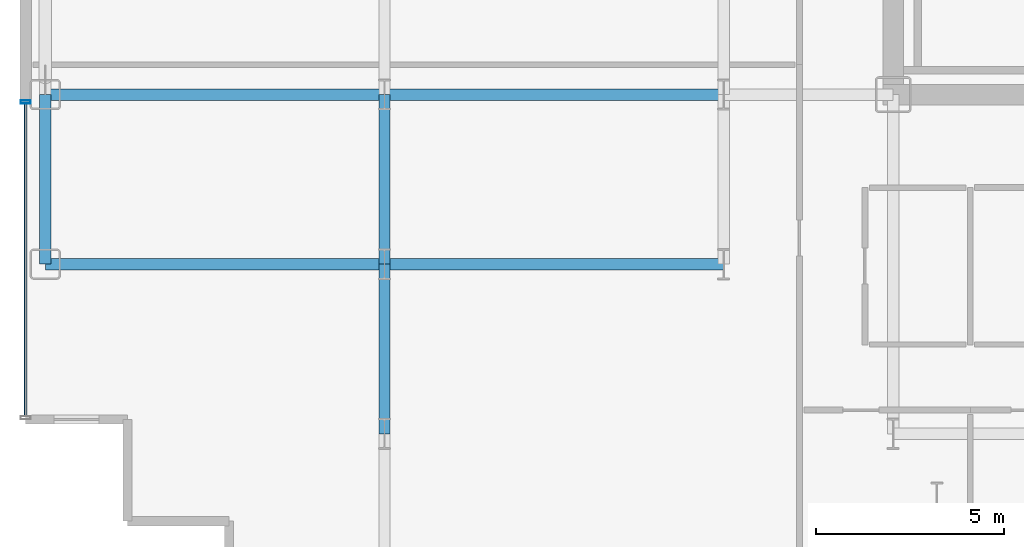
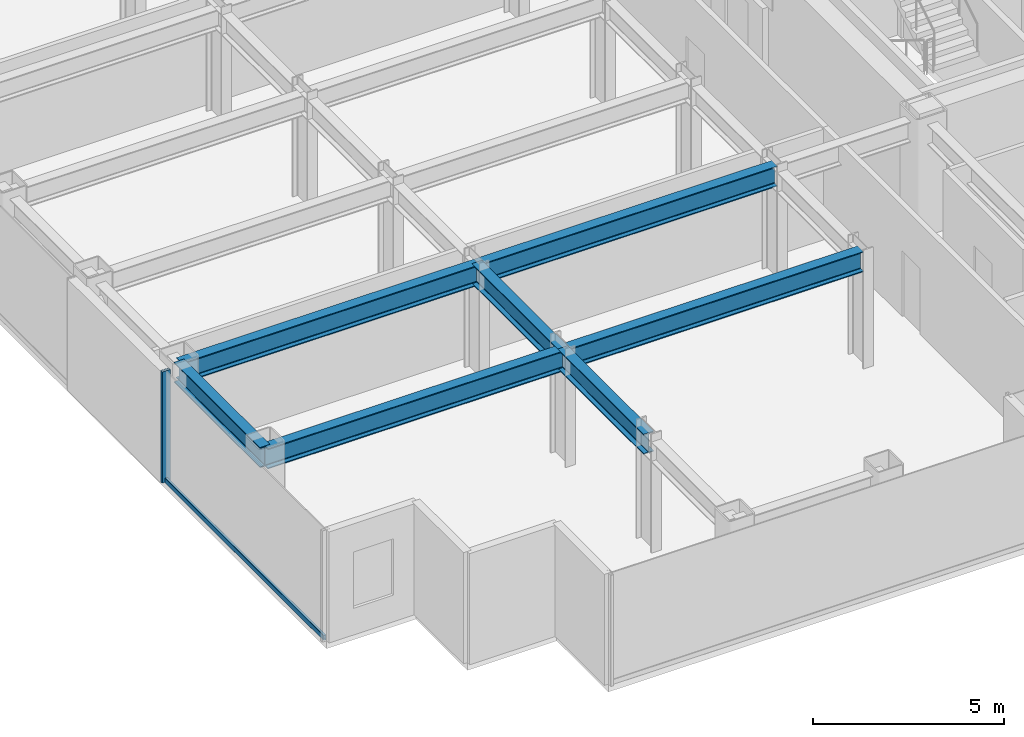
# One storey, part 4 of 27: 7 beams, 2 members, 1 element without a shape of its own.
"""IFC4 building model written with IfcOpenShell, lengths in metres."""

from ifc_helpers import new_model, si_unit, direction, frame, origin, origin_2d, place, context, subcontext, project, spatial, hollow_rectangle, i_section, extrude, source, transform, mapped, material, layer, layer_set, material_profile, profile_set, type_object, element, aggregate, save


model = new_model("IFC4")

# Units and contexts
model_context = context("Model", 3, precision=1e-05, world=origin(), true_north=direction((0.0, 1.0)))
body_context = subcontext(model_context, "Body", "Model", "MODEL_VIEW")
ifc_project = project(units=[si_unit("LENGTHUNIT", "METRE"), si_unit("AREAUNIT", "SQUARE_METRE"), si_unit("VOLUMEUNIT", "CUBIC_METRE"), si_unit("PLANEANGLEUNIT", "RADIAN"), si_unit("MASSUNIT", "GRAM", prefix="KILO")], contexts=[model_context])

# Site, building, storey
site_placement = place(None, origin())
site = spatial("IfcSite", under=ifc_project, at=site_placement, CompositionType="ELEMENT")
building_placement = place(site_placement, origin())
building = spatial("IfcBuilding", under=site, at=building_placement, Name="Nefas-Gora Pilgrimage Tower", CompositionType="ELEMENT")
storey_placement = place(building_placement, frame((0.0, 0.0, 148.800048828125)))
storey = spatial("IfcBuildingStorey", under=building, at=storey_placement, Name="L36", CompositionType="ELEMENT", Elevation=148.800048828125)

# Beams
ifc_material_1 = material(Name="Steel S355", Category="steel")
ifc_material_profile_1 = material_profile(ifc_material_1, i_section(OverallWidth=0.300048828125, OverallDepth=0.64990234375, WebThickness=0.01611328125, FlangeThickness=0.031005859375, FilletRadius=0.027099609375, at=origin_2d()), Name="HEB 650")
ifc_profile_set_1 = profile_set([ifc_material_profile_1], Name="Steel S355")
beam_type_1 = type_object("IfcBeamType", Name="BM-SPN-HEB500", PredefinedType="SPANDREL", material=ifc_profile_set_1)
shared_shape_1 = source(origin(), body_context, "Body", "SweptSolid", [
    extrude(i_section(OverallWidth=0.300048828125, OverallDepth=0.64990234375, WebThickness=0.01611328125, FlangeThickness=0.031005859375, FilletRadius=0.027099609375, at=origin_2d()), origin(), (0.0, 0.0, 1.0), 4.5),
])
beam_placement = place(storey_placement, frame((-33.75, -13.5, 3.224853515625), z_axis=(0.0, 1.0, 0.0), x_axis=(-1.0, 0.0, 0.0)))
element("IfcBeam", 1, at=beam_placement, inside=storey, type_object=beam_type_1, Name="L36 SP-02 beam", PredefinedType="SPANDREL", context=body_context, shape_type="MappedRepresentation", body=[
    mapped(shared_shape_1, transform((0.0, 0.0, 0.0), x_axis=(1.0, 0.0, 0.0), y_axis=(0.0, 1.0, 0.0), z_axis=(0.0, 0.0, 1.0), scale=1.0)),
])
ifc_material_profile_2 = material_profile(ifc_material_1, i_section(OverallWidth=0.300048828125, OverallDepth=0.64990234375, WebThickness=0.01611328125, FlangeThickness=0.031005859375, FilletRadius=0.027099609375, at=origin_2d()), Name="HEB 650")
ifc_profile_set_2 = profile_set([ifc_material_profile_2], Name="Steel S355")
beam_type_2 = type_object("IfcBeamType", Name="BM-GIR-HEB650", PredefinedType="BEAM", material=ifc_profile_set_2)
shared_shape_2 = source(origin(), body_context, "Body", "SweptSolid", [
    extrude(i_section(OverallWidth=0.300048828125, OverallDepth=0.64990234375, WebThickness=0.01611328125, FlangeThickness=0.031005859375, FilletRadius=0.027099609375, at=origin_2d()), origin(), (0.0, 0.0, 1.0), 9.0),
])
for number, where, z_axis, x_axis, name in (
    (2, (-33.75, -13.5, 3.224853515625), (1.0, 0.0, 0.0), (0.0, 1.0, 0.0), "L36 G-03 beam"),
    (3, (-33.75, -9.0, 3.224853515625), (1.0, 0.0, 0.0), (0.0, 1.0, 0.0), "L36 G-03 beam"),
    (4, (-24.75, -13.5, 3.224853515625), (1.0, 0.0, 0.0), (0.0, 1.0, 0.0), "L36 G-03 beam"),
    (5, (-24.75, -9.0, 3.224853515625), (1.0, 0.0, 0.0), (0.0, 1.0, 0.0), "L36 G-03 beam"),
):
    element("IfcBeam", number, at=place(storey_placement, frame(where, z_axis=z_axis, x_axis=x_axis)), inside=storey, type_object=beam_type_2, Name=name, PredefinedType="BEAM", context=body_context, shape_type="MappedRepresentation", body=[
        mapped(shared_shape_2, transform((0.0, 0.0, 0.0), x_axis=(1.0, 0.0, 0.0), y_axis=(0.0, 1.0, 0.0), z_axis=(0.0, 0.0, 1.0), scale=1.0)),
    ])
shared_shape_3 = source(origin(), body_context, "Body", "SweptSolid", [
    extrude(i_section(OverallWidth=0.300048828125, OverallDepth=0.64990234375, WebThickness=0.01611328125, FlangeThickness=0.031005859375, FilletRadius=0.027099609375, at=origin_2d()), origin(), (0.0, 0.0, 1.0), 4.5),
])
for number, where, z_axis, x_axis, name in (
    (6, (-24.75, -18.0, 3.224853515625), (0.0, 1.0, 0.0), (-1.0, 0.0, 0.0), "L36 G-03 beam"),
    (7, (-24.75, -13.5, 3.224853515625), (0.0, 1.0, 0.0), (-1.0, 0.0, 0.0), "L36 G-03 beam"),
):
    element("IfcBeam", number, at=place(storey_placement, frame(where, z_axis=z_axis, x_axis=x_axis)), inside=storey, type_object=beam_type_2, Name=name, PredefinedType="BEAM", context=body_context, shape_type="MappedRepresentation", body=[
        mapped(shared_shape_3, transform((0.0, 0.0, 0.0), x_axis=(1.0, 0.0, 0.0), y_axis=(0.0, 1.0, 0.0), z_axis=(0.0, 0.0, 1.0), scale=1.0)),
    ])

# Curtain wall, members
ifc_material_2 = material(Name="Dark ceramic-fritted solar-control aluminium-glass curtain wall", Category="aluminium")
ifc_layer = layer(ifc_material_2, 0.219970703125)
ifc_layer_set = layer_set([ifc_layer], Name="Dark ceramic-fritted solar-control aluminium-glass curtain wall")
curtain_wall_type = type_object("IfcCurtainWallType", Name="CW-SYS-3", PredefinedType="NOTDEFINED", material=ifc_layer_set)
curtain_wall_placement = place(storey_placement, origin())
curtain_wall = element("IfcCurtainWall", 8, at=curtain_wall_placement, inside=storey, type_object=curtain_wall_type, Name="L36 Unitised Curtain Wall CW3", PredefinedType="NOTDEFINED")
ifc_material_3 = material(Name="Anodised architectural aluminium", Category="aluminium")
ifc_material_profile_3 = material_profile(ifc_material_3, hollow_rectangle(XDim=0.090087890625, YDim=0.260009765625, WallThickness=0.006103515625, InnerFilletRadius=0.006103515625, OuterFilletRadius=0.011962890625, at=origin_2d()), Name="ALU MULLION 90x260")
ifc_profile_set_3 = profile_set([ifc_material_profile_3], Name="Anodised architectural aluminium")
member_type_1 = type_object("IfcMemberType", Name="CWM-MUL-3", PredefinedType="MULLION", material=ifc_profile_set_3)
shared_shape_4 = source(origin(), body_context, "Body", "SweptSolid", [
    extrude(hollow_rectangle(XDim=0.090087890625, YDim=0.260009765625, WallThickness=0.006103515625, InnerFilletRadius=0.006103515625, OuterFilletRadius=0.011962890625, at=origin_2d()), origin(), (0.0, 0.0, 1.0), 3.550048828125),
])
member_1_placement = place(storey_placement, frame((-34.27001953125, -9.195068359375, 0.0), z_axis=(0.0, 0.0, 1.0), x_axis=(0.0, -1.0, 0.0)))
member_1 = element("IfcMember", 9, at=member_1_placement, type_object=member_type_1, Name="CW3 Mullion 1", PredefinedType="MULLION", context=body_context, shape_type="MappedRepresentation", body=[
    mapped(shared_shape_4, transform((0.0, 0.0, 0.0), x_axis=(1.0, 0.0, 0.0), y_axis=(0.0, 1.0, 0.0), z_axis=(0.0, 0.0, 1.0), scale=1.0)),
])
ifc_material_profile_4 = material_profile(ifc_material_3, hollow_rectangle(XDim=0.080078125, YDim=0.159912109375, WallThickness=0.00439453125, InnerFilletRadius=0.00439453125, OuterFilletRadius=0.009033203125, at=origin_2d()), Name="ALU TRANSOM 80x160")
ifc_profile_set_4 = profile_set([ifc_material_profile_4], Name="Anodised architectural aluminium")
member_type_2 = type_object("IfcMemberType", Name="CWM-TRN-3", PredefinedType="USERDEFINED", material=ifc_profile_set_4)
shared_shape_5 = source(origin(), body_context, "Body", "SweptSolid", [
    extrude(hollow_rectangle(XDim=0.080078125, YDim=0.159912109375, WallThickness=0.00439453125, InnerFilletRadius=0.00439453125, OuterFilletRadius=0.009033203125, at=origin_2d()), origin(), (0.0, 0.0, 1.0), 8.2900390625),
])
member_2_placement = place(storey_placement, frame((-34.27001953125, -9.239990234375, 0.050048828125), z_axis=(0.0, -1.0, 0.0), x_axis=(1.0, 0.0, 0.0)))
member_2 = element("IfcMember", 10, at=member_2_placement, type_object=member_type_2, Name="CW3 Spandrel Transom", ObjectType="TRANSOM", PredefinedType="USERDEFINED", context=body_context, shape_type="MappedRepresentation", body=[
    mapped(shared_shape_5, transform((0.0, 0.0, 0.0), x_axis=(1.0, 0.0, 0.0), y_axis=(0.0, 1.0, 0.0), z_axis=(0.0, 0.0, 1.0), scale=1.0)),
])
aggregate(curtain_wall, [member_1, member_2])

save(model, "model.ifc")
